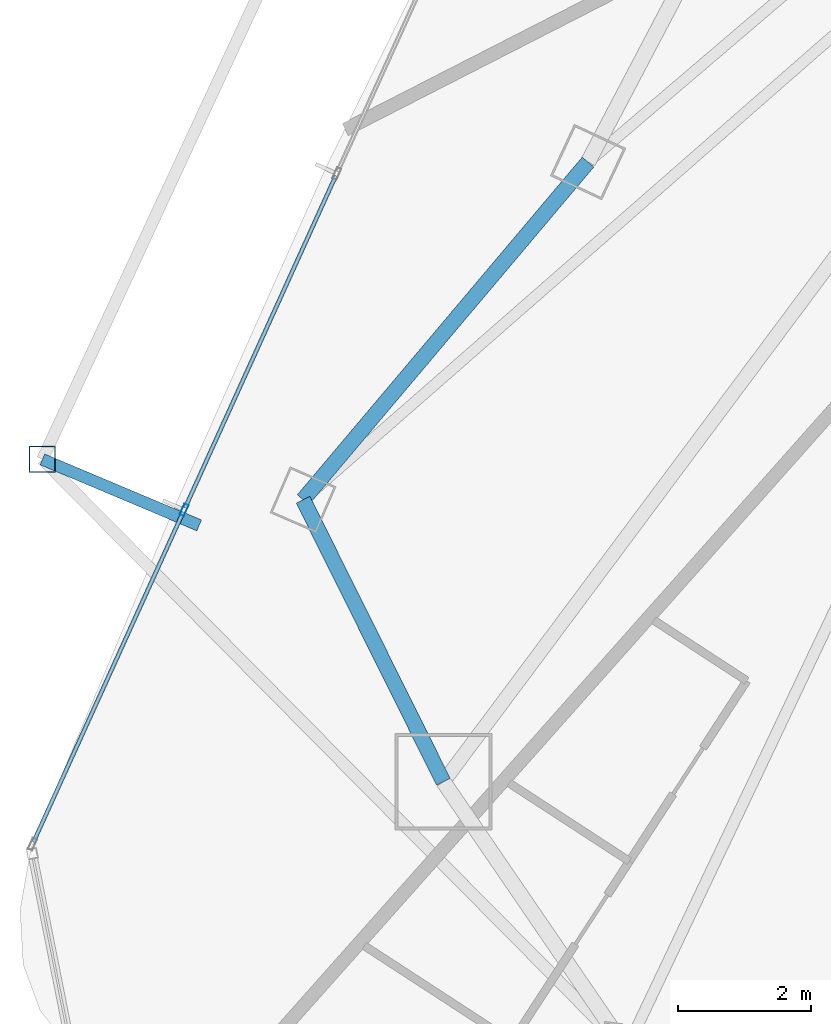
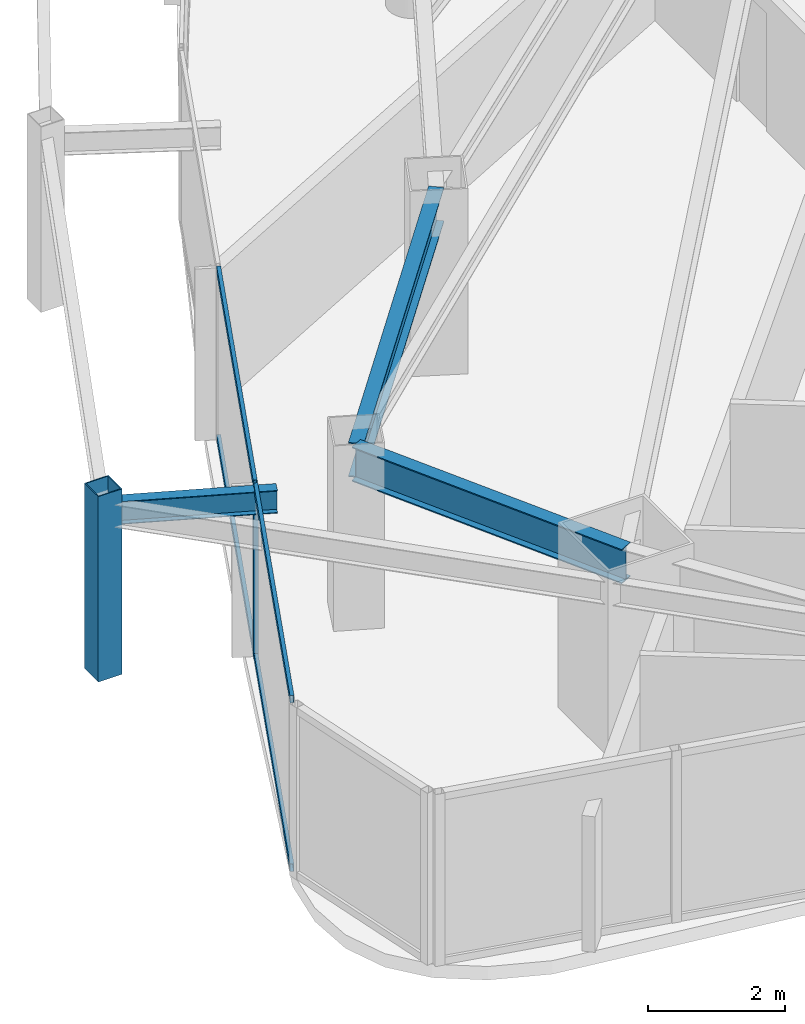
# One storey, part 5 of 31: 6 members, 3 beams, 1 element without a shape of its own.
"""IFC4 building model written with IfcOpenShell, lengths in metres."""

from ifc_helpers import new_model, si_unit, direction, frame, origin, origin_2d, place, context, subcontext, project, spatial, hollow_rectangle, i_section, extrude, material, layer, layer_set, material_profile, profile_set, type_object, element, aggregate, save


model = new_model("IFC4")

# Units and contexts
model_context = context("Model", 3, precision=1e-05, world=origin(), true_north=direction((0.0, 1.0)))
body_context = subcontext(model_context, "Body", "Model", "MODEL_VIEW")
ifc_project = project(units=[si_unit("LENGTHUNIT", "METRE"), si_unit("AREAUNIT", "SQUARE_METRE"), si_unit("VOLUMEUNIT", "CUBIC_METRE"), si_unit("PLANEANGLEUNIT", "RADIAN"), si_unit("MASSUNIT", "GRAM", prefix="KILO")], contexts=[model_context])

# Site, building, storey
site_placement = place(None, origin())
site = spatial("IfcSite", under=ifc_project, at=site_placement, CompositionType="ELEMENT")
building_placement = place(site_placement, origin())
building = spatial("IfcBuilding", under=site, at=building_placement, Name="Orvanel Arch Residences", CompositionType="ELEMENT")
storey_placement = place(building_placement, frame((0.0, 0.0, 153.949951171875)))
storey = spatial("IfcBuildingStorey", under=building, at=storey_placement, Name="L43", CompositionType="ELEMENT", Elevation=153.949951171875)

# Curtain wall, member
ifc_material_1 = material(Name="Bronze-anodised aluminium AA6063-T6", Category="aluminium")
ifc_layer = layer(ifc_material_1, 0.179931640625)
ifc_layer_set = layer_set([ifc_layer], Name="Bronze-anodised aluminium AA6063-T6")
curtain_wall_type = type_object("IfcCurtainWallType", Name="CW3-MID-SYS", PredefinedType="NOTDEFINED", material=ifc_layer_set)
curtain_wall_placement = place(storey_placement, origin())
curtain_wall = element("IfcCurtainWall", 1, at=curtain_wall_placement, inside=storey, type_object=curtain_wall_type, Name="L43 CW3-MID-SYS Unitised Curtain Wall", PredefinedType="NOTDEFINED")
ifc_material_profile_1 = material_profile(ifc_material_1, hollow_rectangle(XDim=0.070068359375, YDim=0.179931640625, WallThickness=0.00439453125, at=origin_2d()), Name="ALU180x70x4.5")
ifc_profile_set_1 = profile_set([ifc_material_profile_1], Name="Bronze-anodised aluminium AA6063-T6")
member_type_1 = type_object("IfcMemberType", Name="MUL-180x70", PredefinedType="MULLION", material=ifc_profile_set_1)
member_1_placement = place(storey_placement, frame((10.311767578125, 14.427001953125, 0.0), z_axis=(0.0, 0.0, 1.0), x_axis=(0.910648730279, -0.413181425091, 0.0)))
member_1 = element("IfcMember", 2, at=member_1_placement, type_object=member_type_1, Name="CW-S3 mullion 3", PredefinedType="MULLION", context=body_context, shape_type="SweptSolid", body=[
    extrude(hollow_rectangle(XDim=0.070068359375, YDim=0.179931640625, WallThickness=0.00439453125, at=origin_2d()), origin(), (0.0, 0.0, 1.0), 3.06005859375),
])

# Beams
ifc_material_2 = material(Name="Structural steel AS/NZS 3679.1 Grade 300 (300 MPa)", Category="steel")
ifc_material_profile_2 = material_profile(ifc_material_2, i_section(OverallWidth=0.177978515625, OverallDepth=0.406005859375, WebThickness=0.0078125, FlangeThickness=0.0126953125, at=origin_2d()), Name="410UB59.7")
ifc_profile_set_2 = profile_set([ifc_material_profile_2], Name="Structural steel AS/NZS 3679.1 Grade 300 (300 MPa)")
beam_type_1 = type_object("IfcBeamType", Name="OB-410UB-EXT", PredefinedType="SPANDREL", material=ifc_profile_set_2)
beam_1_placement = place(storey_placement, frame((10.537109375, 14.195068359375, 2.85693359375), z_axis=(-0.921568683215, 0.388215355333, 0.0), x_axis=(-0.388215355333, -0.921568683215, 0.0)))
element("IfcBeam", 3, at=beam_1_placement, inside=storey, type_object=beam_type_1, Name="L43 Outer Frame Radial Tie Beam 04", PredefinedType="SPANDREL", context=body_context, shape_type="SweptSolid", body=[
    extrude(i_section(OverallWidth=0.177978515625, OverallDepth=0.406005859375, WebThickness=0.0078125, FlangeThickness=0.0126953125, at=origin_2d()), origin(), (0.0, 0.0, 1.0), 2.550048828125),
])
ifc_material_profile_3 = material_profile(ifc_material_2, i_section(OverallWidth=0.22900390625, OverallDepth=0.612060546875, WebThickness=0.011962890625, FlangeThickness=0.01953125, at=origin_2d()), Name="610UB125")
ifc_profile_set_3 = profile_set([ifc_material_profile_3], Name="Structural steel AS/NZS 3679.1 Grade 300 (300 MPa)")
beam_type_2 = type_object("IfcBeamType", Name="SP-610UB", PredefinedType="SPANDREL", material=ifc_profile_set_3)
beam_2_placement = place(storey_placement, frame((16.366943359375, 19.64208984375, 2.754150390625), z_axis=(-0.644950329775, -0.764224490659, 0.0), x_axis=(0.764224490659, -0.644950329775, 0.0)))
element("IfcBeam", 4, at=beam_2_placement, inside=storey, type_object=beam_type_2, Name="L43 Perimeter Spandrel Beam 01", PredefinedType="SPANDREL", context=body_context, shape_type="SweptSolid", body=[
    extrude(i_section(OverallWidth=0.22900390625, OverallDepth=0.612060546875, WebThickness=0.011962890625, FlangeThickness=0.01953125, at=origin_2d()), origin(), (0.0, 0.0, 1.0), 6.623779296875),
])
beam_3_placement = place(storey_placement, frame((12.094970703125, 14.580078125, 2.754150390625), z_axis=(0.44543469453, -0.895314432425, 0.0), x_axis=(0.895314432425, 0.44543469453, 0.0)))
element("IfcBeam", 5, at=beam_3_placement, inside=storey, type_object=beam_type_2, Name="L43 Perimeter Spandrel Beam 02", PredefinedType="SPANDREL", context=body_context, shape_type="SweptSolid", body=[
    extrude(i_section(OverallWidth=0.22900390625, OverallDepth=0.612060546875, WebThickness=0.011962890625, FlangeThickness=0.01953125, at=origin_2d()), origin(), (0.0, 0.0, 1.0), 4.723388671875),
])

# Member
ifc_material_3 = material(Name="Structural steel AS/NZS 1163 C450L0 (Grade 450)", Category="steel")
ifc_material_profile_4 = material_profile(ifc_material_3, hollow_rectangle(XDim=0.39990234375, YDim=0.39990234375, WallThickness=0.01611328125, at=origin_2d()), Name="SHS400x400x16")
ifc_profile_set_4 = profile_set([ifc_material_profile_4], Name="Structural steel AS/NZS 1163 C450L0 (Grade 450)")
member_type_2 = type_object("IfcMemberType", Name="ST-400SHS-EXT", PredefinedType="STRUT", material=ifc_profile_set_4)
member_2_placement = place(storey_placement, frame((8.18701171875, 15.18505859375, 0.0), z_axis=(0.0, 0.0, 1.0), x_axis=(1.0, 0.0, 0.0)))
element("IfcMember", 6, at=member_2_placement, inside=storey, type_object=member_type_2, Name="L43 Outer Perimeter Frame Post 04", PredefinedType="STRUT", context=body_context, shape_type="SweptSolid", body=[
    extrude(hollow_rectangle(XDim=0.39990234375, YDim=0.39990234375, WallThickness=0.01611328125, at=origin_2d()), origin(), (0.0, 0.0, 1.0), 3.300048828125),
])

ifc_material_profile_5 = material_profile(ifc_material_1, hollow_rectangle(XDim=0.06005859375, YDim=0.135009765625, WallThickness=0.00390625, at=origin_2d()), Name="ALU135x60x4")
ifc_profile_set_5 = profile_set([ifc_material_profile_5], Name="Bronze-anodised aluminium AA6063-T6")
member_type_3 = type_object("IfcMemberType", Name="TRN-135x60", PredefinedType="USERDEFINED", material=ifc_profile_set_5)
member_3_placement = place(storey_placement, frame((12.5849609375, 19.43701171875, 0.030029296875), z_axis=(-0.413203907421, -0.910638529216, 0.0), x_axis=(0.910638529216, -0.413203907421, 0.0)))
member_3 = element("IfcMember", 7, at=member_3_placement, type_object=member_type_3, Name="CW-S3 transom 2.1", ObjectType="TRANSOM", PredefinedType="USERDEFINED", context=body_context, shape_type="SweptSolid", body=[
    extrude(hollow_rectangle(XDim=0.06005859375, YDim=0.135009765625, WallThickness=0.00390625, at=origin_2d()), origin(), (0.0, 0.0, 1.0), 5.466552734375),
])

member_4_placement = place(storey_placement, frame((12.5849609375, 19.43701171875, 3.030029296875), z_axis=(-0.413203907421, -0.910638529216, 0.0), x_axis=(0.910638529216, -0.413203907421, 0.0)))
member_4 = element("IfcMember", 8, at=member_4_placement, type_object=member_type_3, Name="CW-S3 transom 2.2", ObjectType="TRANSOM", PredefinedType="USERDEFINED", context=body_context, shape_type="SweptSolid", body=[
    extrude(hollow_rectangle(XDim=0.06005859375, YDim=0.135009765625, WallThickness=0.00390625, at=origin_2d()), origin(), (0.0, 0.0, 1.0), 5.466552734375),
])

member_5_placement = place(storey_placement, frame((10.297119140625, 14.39501953125, 0.030029296875), z_axis=(-0.413166175984, -0.910655648982, 0.0), x_axis=(0.910655648982, -0.413166175984, 0.0)))
member_5 = element("IfcMember", 9, at=member_5_placement, type_object=member_type_3, Name="CW-S3 transom 3.1", ObjectType="TRANSOM", PredefinedType="USERDEFINED", context=body_context, shape_type="SweptSolid", body=[
    extrude(hollow_rectangle(XDim=0.06005859375, YDim=0.135009765625, WallThickness=0.00390625, at=origin_2d()), origin(), (0.0, 0.0, 1.0), 5.431640625),
])

member_6_placement = place(storey_placement, frame((10.297119140625, 14.39501953125, 3.030029296875), z_axis=(-0.413166175984, -0.910655648982, 0.0), x_axis=(0.910655648982, -0.413166175984, 0.0)))
member_6 = element("IfcMember", 10, at=member_6_placement, type_object=member_type_3, Name="CW-S3 transom 3.2", ObjectType="TRANSOM", PredefinedType="USERDEFINED", context=body_context, shape_type="SweptSolid", body=[
    extrude(hollow_rectangle(XDim=0.06005859375, YDim=0.135009765625, WallThickness=0.00390625, at=origin_2d()), origin(), (0.0, 0.0, 1.0), 5.431640625),
])

aggregate(curtain_wall, [member_1, member_3, member_4, member_5, member_6])

save(model, "model.ifc")
